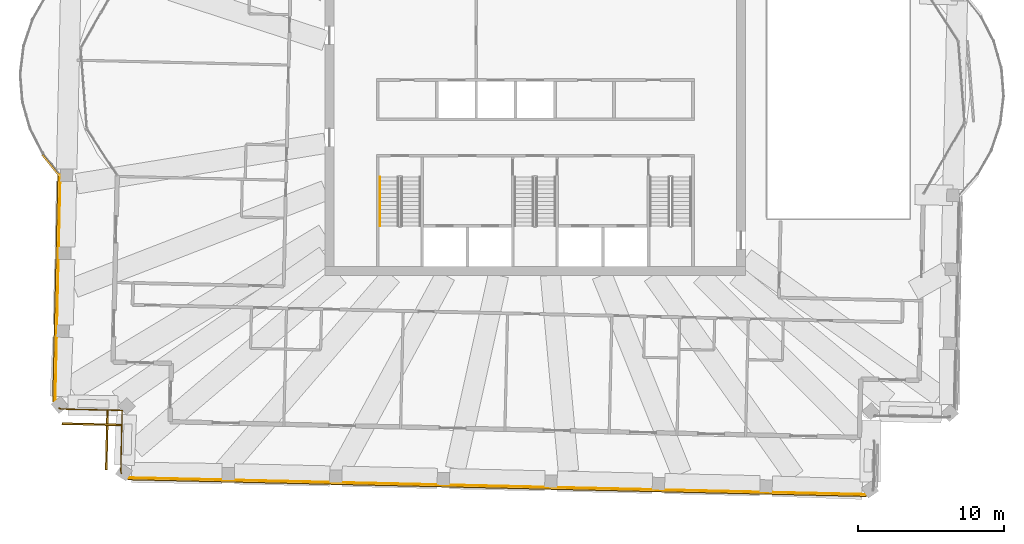
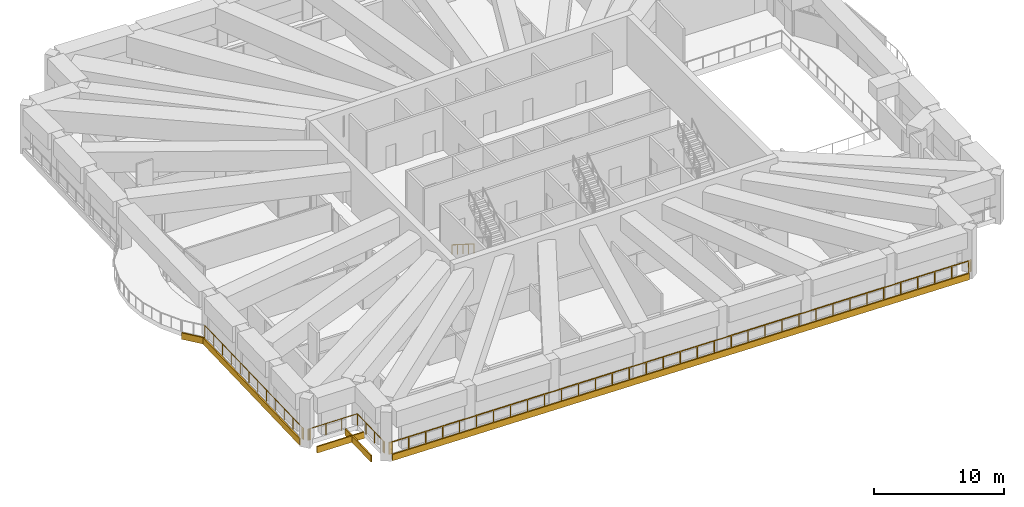
# One storey, part 15 of 21: 5 coverings, 4 railings.
"""IFC4 building model written with IfcOpenShell, lengths in metres."""

from ifc_helpers import new_model, si_unit, direction, frame, frame_2d, origin, origin_2d, place, context, subcontext, project, spatial, rectangle, circle, extrude, material, layer, layer_set, type_object, element, save


model = new_model("IFC4")

# Units and contexts
model_context = context("Model", 3, precision=1e-05, world=origin(), true_north=direction((0.0, 1.0)))
body_context = subcontext(model_context, "Body", "Model", "MODEL_VIEW")
ifc_project = project(units=[si_unit("LENGTHUNIT", "METRE"), si_unit("AREAUNIT", "SQUARE_METRE"), si_unit("VOLUMEUNIT", "CUBIC_METRE"), si_unit("PLANEANGLEUNIT", "RADIAN"), si_unit("MASSUNIT", "GRAM", prefix="KILO")], contexts=[model_context])

# Site, building, storey
site_placement = place(None, origin())
site = spatial("IfcSite", under=ifc_project, at=site_placement, CompositionType="ELEMENT")
building_placement = place(site_placement, origin())
building = spatial("IfcBuilding", under=site, at=building_placement, Name="Mangrove Gate Tower", CompositionType="ELEMENT")
storey_placement = place(building_placement, frame((0.0, 0.0, 329.699951171875)))
storey = spatial("IfcBuildingStorey", under=building, at=storey_placement, Name="L84", CompositionType="ELEMENT", Elevation=329.699951171875)

# Railings
ifc_material_1 = material(Name="Stainless steel grade 316 with laminated glass infill", Category="steel")
railing_type_1 = type_object("IfcRailingType", Name="Balcony guard 1100", PredefinedType="GUARDRAIL", material=ifc_material_1)
railing_1_placement = place(storey_placement, frame((22.886962890625, -26.363037109375, 0.0)))
element("IfcRailing", 1, at=railing_1_placement, inside=storey, type_object=railing_type_1, Name="GUARD L84 T1.8", PredefinedType="GUARDRAIL", context=body_context, shape_type="SweptSolid", body=[
    extrude(rectangle(XDim=0.048095703125, YDim=0.048095703125, at=origin_2d()), frame((0.0, 0.0, 1.076171875), z_axis=(-0.914917801573, -0.403640206576, 0.0), x_axis=(0.403640206576, -0.914917801573, 0.0)), (0.0, 0.0, 1.0), 0.027099609375),
    extrude(rectangle(XDim=0.048095703125, YDim=0.048095703125, at=origin_2d()), frame((-0.02490234375, -0.010986328125, 1.076171875), z_axis=(-0.947696654134, -0.319172448283, 0.0), x_axis=(0.319172448283, -0.947696654134, 0.0)), (0.0, 0.0, 1.0), 0.0498046875),
    extrude(rectangle(XDim=0.048095703125, YDim=0.048095703125, at=origin_2d()), frame((-0.072021484375, -0.02685546875, 1.076171875), z_axis=(-0.978813906772, -0.204751888661, 0.0), x_axis=(0.204751888661, -0.978813906772, 0.0)), (0.0, 0.0, 1.0), 0.048828125),
    extrude(rectangle(XDim=0.048095703125, YDim=0.048095703125, at=origin_2d()), frame((-0.119873046875, -0.036865234375, 1.076171875), z_axis=(-0.989337863075, -0.145638568676, 0.0), x_axis=(0.145638568676, -0.989337863075, 0.0)), (0.0, 0.0, 1.0), 0.048583984375),
    extrude(rectangle(XDim=0.048095703125, YDim=0.048095703125, at=origin_2d()), frame((-0.16796875, -0.0439453125, 1.076171875), z_axis=(-0.999802043895, -0.019896558087, 0.0), x_axis=(0.019896558087, -0.999802043895, 0.0)), (0.0, 0.0, 1.0), 0.049072265625),
    extrude(rectangle(XDim=0.048095703125, YDim=0.048095703125, at=origin_2d()), frame((-0.217041015625, -0.044921875, 1.076171875), z_axis=(-0.999742622077, 0.022686771534, 0.0), x_axis=(-0.022686771534, -0.999742622077, 0.0)), (0.0, 0.0, 1.0), 50.599853515625),
    extrude(rectangle(XDim=0.048095703125, YDim=0.048095703125, at=origin_2d()), frame((-50.803955078125, 1.10302734375, 1.076171875), z_axis=(-0.996846739125, 0.079350984209, 0.0), x_axis=(-0.079350984209, -0.996846739125, 0.0)), (0.0, 0.0, 1.0), 0.04931640625),
    extrude(rectangle(XDim=0.048095703125, YDim=0.048095703125, at=origin_2d()), frame((-50.85302734375, 1.10693359375, 1.076171875), z_axis=(-0.986659290868, 0.162798782993, 0.0), x_axis=(-0.162798782993, -0.986659290868, 0.0)), (0.0, 0.0, 1.0), 0.049560546875),
    extrude(rectangle(XDim=0.048095703125, YDim=0.048095703125, at=origin_2d()), frame((-50.90185546875, 1.114990234375, 1.076171875), z_axis=(-0.964301134924, 0.264808083684, 0.0), x_axis=(-0.264808083684, -0.964301134924, 0.0)), (0.0, 0.0, 1.0), 0.048828125),
    extrude(rectangle(XDim=0.048095703125, YDim=0.048095703125, at=origin_2d()), frame((-50.948974609375, 1.1279296875, 1.076171875), z_axis=(-0.930510652004, 0.366264831108, 0.0), x_axis=(-0.366264831108, -0.930510652004, 0.0)), (0.0, 0.0, 1.0), 0.04931640625),
    extrude(rectangle(XDim=0.048095703125, YDim=0.048095703125, at=origin_2d()), frame((-50.994873046875, 1.14599609375, 1.076171875), z_axis=(-0.903022510302, 0.429593233056, 0.0), x_axis=(-0.429593233056, -0.903022510302, 0.0)), (0.0, 0.0, 1.0), 0.02783203125),
    extrude(rectangle(XDim=0.0419921875, YDim=0.0419921875, at=origin_2d()), origin(), (0.0, 0.0, 1.0), 1.052001953125),
    extrude(rectangle(XDim=0.0419921875, YDim=0.0419921875, at=origin_2d()), frame((-0.02490234375, -0.010986328125, 0.0)), (0.0, 0.0, 1.0), 1.052001953125),
    extrude(rectangle(XDim=0.0419921875, YDim=0.0419921875, at=origin_2d()), frame((-0.072021484375, -0.02685546875, 0.0)), (0.0, 0.0, 1.0), 1.052001953125),
    extrude(rectangle(XDim=0.0419921875, YDim=0.0419921875, at=origin_2d()), frame((-0.119873046875, -0.036865234375, 0.0)), (0.0, 0.0, 1.0), 1.052001953125),
    extrude(rectangle(XDim=0.0419921875, YDim=0.0419921875, at=origin_2d()), frame((-0.16796875, -0.0439453125, 0.0)), (0.0, 0.0, 1.0), 1.052001953125),
    extrude(rectangle(XDim=0.0419921875, YDim=0.0419921875, at=origin_2d()), frame((-0.217041015625, -0.044921875, 0.0)), (0.0, 0.0, 1.0), 1.052001953125),
    extrude(rectangle(XDim=0.0419921875, YDim=0.0419921875, at=origin_2d()), frame((-1.704833984375, -0.01123046875, 0.0)), (0.0, 0.0, 1.0), 1.052001953125),
    extrude(rectangle(XDim=0.0419921875, YDim=0.0419921875, at=origin_2d()), frame((-3.192626953125, 0.022705078125, 0.0)), (0.0, 0.0, 1.0), 1.052001953125),
    extrude(rectangle(XDim=0.0419921875, YDim=0.0419921875, at=origin_2d()), frame((-4.6806640625, 0.056396484375, 0.0)), (0.0, 0.0, 1.0), 1.052001953125),
    extrude(rectangle(XDim=0.0419921875, YDim=0.0419921875, at=origin_2d()), frame((-6.16845703125, 0.090087890625, 0.0)), (0.0, 0.0, 1.0), 1.052001953125),
    extrude(rectangle(XDim=0.0419921875, YDim=0.0419921875, at=origin_2d()), frame((-7.65625, 0.123779296875, 0.0)), (0.0, 0.0, 1.0), 1.052001953125),
    extrude(rectangle(XDim=0.0419921875, YDim=0.0419921875, at=origin_2d()), frame((-9.14404296875, 0.15771484375, 0.0)), (0.0, 0.0, 1.0), 1.052001953125),
    extrude(rectangle(XDim=0.0419921875, YDim=0.0419921875, at=origin_2d()), frame((-10.632080078125, 0.19140625, 0.0)), (0.0, 0.0, 1.0), 1.052001953125),
    extrude(rectangle(XDim=0.0419921875, YDim=0.0419921875, at=origin_2d()), frame((-12.119873046875, 0.22509765625, 0.0)), (0.0, 0.0, 1.0), 1.052001953125),
    extrude(rectangle(XDim=0.0419921875, YDim=0.0419921875, at=origin_2d()), frame((-13.607666015625, 0.259033203125, 0.0)), (0.0, 0.0, 1.0), 1.052001953125),
    extrude(rectangle(XDim=0.0419921875, YDim=0.0419921875, at=origin_2d()), frame((-15.095458984375, 0.292724609375, 0.0)), (0.0, 0.0, 1.0), 1.052001953125),
    extrude(rectangle(XDim=0.0419921875, YDim=0.0419921875, at=origin_2d()), frame((-16.58349609375, 0.326416015625, 0.0)), (0.0, 0.0, 1.0), 1.052001953125),
    extrude(rectangle(XDim=0.0419921875, YDim=0.0419921875, at=origin_2d()), frame((-18.0712890625, 0.3603515625, 0.0)), (0.0, 0.0, 1.0), 1.052001953125),
    extrude(rectangle(XDim=0.0419921875, YDim=0.0419921875, at=origin_2d()), frame((-19.55908203125, 0.39404296875, 0.0)), (0.0, 0.0, 1.0), 1.052001953125),
    extrude(rectangle(XDim=0.0419921875, YDim=0.0419921875, at=origin_2d()), frame((-21.046875, 0.427734375, 0.0)), (0.0, 0.0, 1.0), 1.052001953125),
    extrude(rectangle(XDim=0.0419921875, YDim=0.0419921875, at=origin_2d()), frame((-22.534912109375, 0.46142578125, 0.0)), (0.0, 0.0, 1.0), 1.052001953125),
    extrude(rectangle(XDim=0.0419921875, YDim=0.0419921875, at=origin_2d()), frame((-24.022705078125, 0.495361328125, 0.0)), (0.0, 0.0, 1.0), 1.052001953125),
    extrude(rectangle(XDim=0.0419921875, YDim=0.0419921875, at=origin_2d()), frame((-25.510498046875, 0.529052734375, 0.0)), (0.0, 0.0, 1.0), 1.052001953125),
    extrude(rectangle(XDim=0.0419921875, YDim=0.0419921875, at=origin_2d()), frame((-26.998291015625, 0.562744140625, 0.0)), (0.0, 0.0, 1.0), 1.052001953125),
    extrude(rectangle(XDim=0.0419921875, YDim=0.0419921875, at=origin_2d()), frame((-28.486083984375, 0.5966796875, 0.0)), (0.0, 0.0, 1.0), 1.052001953125),
    extrude(rectangle(XDim=0.0419921875, YDim=0.0419921875, at=origin_2d()), frame((-29.97412109375, 0.63037109375, 0.0)), (0.0, 0.0, 1.0), 1.052001953125),
    extrude(rectangle(XDim=0.0419921875, YDim=0.0419921875, at=origin_2d()), frame((-31.4619140625, 0.6640625, 0.0)), (0.0, 0.0, 1.0), 1.052001953125),
    extrude(rectangle(XDim=0.0419921875, YDim=0.0419921875, at=origin_2d()), frame((-32.94970703125, 0.69775390625, 0.0)), (0.0, 0.0, 1.0), 1.052001953125),
    extrude(rectangle(XDim=0.0419921875, YDim=0.0419921875, at=origin_2d()), frame((-34.4375, 0.731689453125, 0.0)), (0.0, 0.0, 1.0), 1.052001953125),
    extrude(rectangle(XDim=0.0419921875, YDim=0.0419921875, at=origin_2d()), frame((-35.925537109375, 0.765380859375, 0.0)), (0.0, 0.0, 1.0), 1.052001953125),
    extrude(rectangle(XDim=0.0419921875, YDim=0.0419921875, at=origin_2d()), frame((-37.413330078125, 0.799072265625, 0.0)), (0.0, 0.0, 1.0), 1.052001953125),
    extrude(rectangle(XDim=0.0419921875, YDim=0.0419921875, at=origin_2d()), frame((-38.901123046875, 0.8330078125, 0.0)), (0.0, 0.0, 1.0), 1.052001953125),
    extrude(rectangle(XDim=0.0419921875, YDim=0.0419921875, at=origin_2d()), frame((-40.388916015625, 0.86669921875, 0.0)), (0.0, 0.0, 1.0), 1.052001953125),
    extrude(rectangle(XDim=0.0419921875, YDim=0.0419921875, at=origin_2d()), frame((-41.876953125, 0.900390625, 0.0)), (0.0, 0.0, 1.0), 1.052001953125),
    extrude(rectangle(XDim=0.0419921875, YDim=0.0419921875, at=origin_2d()), frame((-43.36474609375, 0.934326171875, 0.0)), (0.0, 0.0, 1.0), 1.052001953125),
    extrude(rectangle(XDim=0.0419921875, YDim=0.0419921875, at=origin_2d()), frame((-44.8525390625, 0.968017578125, 0.0)), (0.0, 0.0, 1.0), 1.052001953125),
    extrude(rectangle(XDim=0.0419921875, YDim=0.0419921875, at=origin_2d()), frame((-46.34033203125, 1.001708984375, 0.0)), (0.0, 0.0, 1.0), 1.052001953125),
    extrude(rectangle(XDim=0.0419921875, YDim=0.0419921875, at=origin_2d()), frame((-47.828369140625, 1.035400390625, 0.0)), (0.0, 0.0, 1.0), 1.052001953125),
    extrude(rectangle(XDim=0.0419921875, YDim=0.0419921875, at=origin_2d()), frame((-49.316162109375, 1.0693359375, 0.0)), (0.0, 0.0, 1.0), 1.052001953125),
    extrude(rectangle(XDim=0.0419921875, YDim=0.0419921875, at=origin_2d()), frame((-50.803955078125, 1.10302734375, 0.0)), (0.0, 0.0, 1.0), 1.052001953125),
    extrude(rectangle(XDim=0.0419921875, YDim=0.0419921875, at=origin_2d()), frame((-50.85302734375, 1.10693359375, 0.0)), (0.0, 0.0, 1.0), 1.052001953125),
    extrude(rectangle(XDim=0.0419921875, YDim=0.0419921875, at=origin_2d()), frame((-50.90185546875, 1.114990234375, 0.0)), (0.0, 0.0, 1.0), 1.052001953125),
    extrude(rectangle(XDim=0.0419921875, YDim=0.0419921875, at=origin_2d()), frame((-50.948974609375, 1.1279296875, 0.0)), (0.0, 0.0, 1.0), 1.052001953125),
    extrude(rectangle(XDim=0.0419921875, YDim=0.0419921875, at=origin_2d()), frame((-50.994873046875, 1.14599609375, 0.0)), (0.0, 0.0, 1.0), 1.052001953125),
    extrude(rectangle(XDim=0.0419921875, YDim=0.0419921875, at=origin_2d()), frame((-51.02001953125, 1.157958984375, 0.0)), (0.0, 0.0, 1.0), 1.052001953125),
])
railing_2_placement = place(storey_placement, frame((-28.361083984375, -24.966064453125, 0.0)))
element("IfcRailing", 2, at=railing_2_placement, inside=storey, type_object=railing_type_1, Name="GUARD L84 T1.9", PredefinedType="GUARDRAIL", context=body_context, shape_type="SweptSolid", body=[
    extrude(rectangle(XDim=0.048095703125, YDim=0.048095703125, at=origin_2d()), frame((0.0, 0.0, 1.076171875), z_axis=(-0.400352069216, 0.916361402872, 0.0), x_axis=(-0.916361402872, -0.400352069216, 0.0)), (0.0, 0.0, 1.0), 0.02734375),
    extrude(rectangle(XDim=0.048095703125, YDim=0.048095703125, at=origin_2d()), frame((-0.010986328125, 0.025146484375, 1.076171875), z_axis=(-0.320664269532, 0.947192919233, 0.0), x_axis=(-0.947192919233, -0.320664269532, 0.0)), (0.0, 0.0, 1.0), 0.049560546875),
    extrude(rectangle(XDim=0.048095703125, YDim=0.048095703125, at=origin_2d()), frame((-0.02685546875, 0.072021484375, 1.076171875), z_axis=(-0.203755794539, 0.979021744494, 0.0), x_axis=(-0.979021744494, -0.203755794539, 0.0)), (0.0, 0.0, 1.0), 0.049072265625),
    extrude(rectangle(XDim=0.048095703125, YDim=0.048095703125, at=origin_2d()), frame((-0.036865234375, 0.1201171875, 1.076171875), z_axis=(-0.146365743746, 0.989230543937, 0.0), x_axis=(-0.989230543937, -0.146365743746, 0.0)), (0.0, 0.0, 1.0), 0.04833984375),
    extrude(rectangle(XDim=0.048095703125, YDim=0.048095703125, at=origin_2d()), frame((-0.0439453125, 0.16796875, 1.076171875), z_axis=(-0.019896558087, 0.999802043895, 0.0), x_axis=(-0.999802043895, -0.019896558087, 0.0)), (0.0, 0.0, 1.0), 0.049072265625),
    extrude(rectangle(XDim=0.048095703125, YDim=0.048095703125, at=origin_2d()), frame((-0.044921875, 0.217041015625, 1.076171875), z_axis=(0.022753963991, 0.999741095045, 0.0), x_axis=(-0.999741095045, 0.022753963991, 0.0)), (0.0, 0.0, 1.0), 4.087890625),
    extrude(rectangle(XDim=0.048095703125, YDim=0.048095703125, at=origin_2d()), frame((0.048095703125, 4.303955078125, 1.076171875), z_axis=(0.0, 1.0, 0.0), x_axis=(-1.0, 0.0, 0.0)), (0.0, 0.0, 1.0), 0.01220703125),
    extrude(rectangle(XDim=0.048095703125, YDim=0.048095703125, at=origin_2d()), frame((0.048095703125, 4.316162109375, 1.076171875), z_axis=(-0.996684615823, 0.081362009455, 0.0), x_axis=(-0.081362009455, -0.996684615823, 0.0)), (0.0, 0.0, 1.0), 0.011962890625),
    extrude(rectangle(XDim=0.048095703125, YDim=0.048095703125, at=origin_2d()), frame((0.0361328125, 4.317138671875, 1.076171875), z_axis=(-0.999746531049, 0.02251385474, 0.0), x_axis=(-0.02251385474, -0.999746531049, 0.0)), (0.0, 0.0, 1.0), 4.088134765625),
    extrude(rectangle(XDim=0.048095703125, YDim=0.048095703125, at=origin_2d()), frame((-4.051025390625, 4.4091796875, 1.076171875), z_axis=(-0.996815278536, 0.079745222283, 0.0), x_axis=(-0.079745222283, -0.996815278536, 0.0)), (0.0, 0.0, 1.0), 0.049072265625),
    extrude(rectangle(XDim=0.048095703125, YDim=0.048095703125, at=origin_2d()), frame((-4.099853515625, 4.4130859375, 1.076171875), z_axis=(-0.986258281976, 0.165210778199, 0.0), x_axis=(-0.165210778199, -0.986258281976, 0.0)), (0.0, 0.0, 1.0), 0.048828125),
    extrude(rectangle(XDim=0.048095703125, YDim=0.048095703125, at=origin_2d()), frame((-4.14794921875, 4.421142578125, 1.076171875), z_axis=(-0.963948224108, 0.266089874363, 0.0), x_axis=(-0.266089874363, -0.963948224108, 0.0)), (0.0, 0.0, 1.0), 0.048583984375),
    extrude(rectangle(XDim=0.048095703125, YDim=0.048095703125, at=origin_2d()), frame((-4.19482421875, 4.43408203125, 1.076171875), z_axis=(-0.931170070305, 0.364585106892, 0.0), x_axis=(-0.364585106892, -0.931170070305, 0.0)), (0.0, 0.0, 1.0), 0.049560546875),
    extrude(rectangle(XDim=0.048095703125, YDim=0.048095703125, at=origin_2d()), frame((-4.240966796875, 4.4521484375, 1.076171875), z_axis=(-0.901385111422, 0.43301833784, 0.0), x_axis=(-0.43301833784, -0.901385111422, 0.0)), (0.0, 0.0, 1.0), 0.027587890625),
    extrude(rectangle(XDim=0.0419921875, YDim=0.0419921875, at=origin_2d()), origin(), (0.0, 0.0, 1.0), 1.052001953125),
    extrude(rectangle(XDim=0.0419921875, YDim=0.0419921875, at=origin_2d()), frame((-0.010986328125, 0.025146484375, 0.0)), (0.0, 0.0, 1.0), 1.052001953125),
    extrude(rectangle(XDim=0.0419921875, YDim=0.0419921875, at=origin_2d()), frame((-0.02685546875, 0.072021484375, 0.0)), (0.0, 0.0, 1.0), 1.052001953125),
    extrude(rectangle(XDim=0.0419921875, YDim=0.0419921875, at=origin_2d()), frame((-0.036865234375, 0.1201171875, 0.0)), (0.0, 0.0, 1.0), 1.052001953125),
    extrude(rectangle(XDim=0.0419921875, YDim=0.0419921875, at=origin_2d()), frame((-0.0439453125, 0.16796875, 0.0)), (0.0, 0.0, 1.0), 1.052001953125),
    extrude(rectangle(XDim=0.0419921875, YDim=0.0419921875, at=origin_2d()), frame((-0.044921875, 0.217041015625, 0.0)), (0.0, 0.0, 1.0), 1.052001953125),
    extrude(rectangle(XDim=0.0419921875, YDim=0.0419921875, at=origin_2d()), frame((-0.013916015625, 1.579345703125, 0.0)), (0.0, 0.0, 1.0), 1.052001953125),
    extrude(rectangle(XDim=0.0419921875, YDim=0.0419921875, at=origin_2d()), frame((0.01708984375, 2.941650390625, 0.0)), (0.0, 0.0, 1.0), 1.052001953125),
    extrude(rectangle(XDim=0.0419921875, YDim=0.0419921875, at=origin_2d()), frame((0.048095703125, 4.303955078125, 0.0)), (0.0, 0.0, 1.0), 1.052001953125),
    extrude(rectangle(XDim=0.0419921875, YDim=0.0419921875, at=origin_2d()), frame((0.048095703125, 4.316162109375, 0.0)), (0.0, 0.0, 1.0), 1.052001953125),
    extrude(rectangle(XDim=0.0419921875, YDim=0.0419921875, at=origin_2d()), frame((0.0361328125, 4.317138671875, 0.0)), (0.0, 0.0, 1.0), 1.052001953125),
    extrude(rectangle(XDim=0.0419921875, YDim=0.0419921875, at=origin_2d()), frame((-1.326171875, 4.347900390625, 0.0)), (0.0, 0.0, 1.0), 1.052001953125),
    extrude(rectangle(XDim=0.0419921875, YDim=0.0419921875, at=origin_2d()), frame((-2.688720703125, 4.37841796875, 0.0)), (0.0, 0.0, 1.0), 1.052001953125),
    extrude(rectangle(XDim=0.0419921875, YDim=0.0419921875, at=origin_2d()), frame((-4.051025390625, 4.4091796875, 0.0)), (0.0, 0.0, 1.0), 1.052001953125),
    extrude(rectangle(XDim=0.0419921875, YDim=0.0419921875, at=origin_2d()), frame((-4.099853515625, 4.4130859375, 0.0)), (0.0, 0.0, 1.0), 1.052001953125),
    extrude(rectangle(XDim=0.0419921875, YDim=0.0419921875, at=origin_2d()), frame((-4.14794921875, 4.421142578125, 0.0)), (0.0, 0.0, 1.0), 1.052001953125),
    extrude(rectangle(XDim=0.0419921875, YDim=0.0419921875, at=origin_2d()), frame((-4.19482421875, 4.43408203125, 0.0)), (0.0, 0.0, 1.0), 1.052001953125),
    extrude(rectangle(XDim=0.0419921875, YDim=0.0419921875, at=origin_2d()), frame((-4.240966796875, 4.4521484375, 0.0)), (0.0, 0.0, 1.0), 1.052001953125),
    extrude(rectangle(XDim=0.0419921875, YDim=0.0419921875, at=origin_2d()), frame((-4.265869140625, 4.464111328125, 0.0)), (0.0, 0.0, 1.0), 1.052001953125),
])
railing_3_placement = place(storey_placement, frame((-32.85498046875, -20.262939453125, 0.0)))
element("IfcRailing", 3, at=railing_3_placement, inside=storey, type_object=railing_type_1, Name="GUARD L84 T1.10", PredefinedType="GUARDRAIL", context=body_context, shape_type="SweptSolid", body=[
    extrude(rectangle(XDim=0.048095703125, YDim=0.048095703125, at=origin_2d()), frame((0.0, 0.0, 1.076171875), z_axis=(-0.43301833784, 0.901385111422, 0.0), x_axis=(-0.901385111422, -0.43301833784, 0.0)), (0.0, 0.0, 1.0), 0.027587890625),
    extrude(rectangle(XDim=0.048095703125, YDim=0.048095703125, at=origin_2d()), frame((-0.011962890625, 0.02490234375, 1.076171875), z_axis=(-0.30584949336, 0.952079874491, 0.0), x_axis=(-0.952079874491, -0.30584949336, 0.0)), (0.0, 0.0, 1.0), 0.049560546875),
    extrude(rectangle(XDim=0.048095703125, YDim=0.048095703125, at=origin_2d()), frame((-0.027099609375, 0.072021484375, 1.076171875), z_axis=(-0.223769850009, 0.974642013371, 0.0), x_axis=(-0.974642013371, -0.223769850009, 0.0)), (0.0, 0.0, 1.0), 0.049072265625),
    extrude(rectangle(XDim=0.048095703125, YDim=0.048095703125, at=origin_2d()), frame((-0.0380859375, 0.119873046875, 1.076171875), z_axis=(-0.120933275731, 0.992660638295, 0.0), x_axis=(-0.992660638295, -0.120933275731, 0.0)), (0.0, 0.0, 1.0), 0.04833984375),
    extrude(rectangle(XDim=0.048095703125, YDim=0.048095703125, at=origin_2d()), frame((-0.0439453125, 0.16796875, 1.076171875), z_axis=(-0.019508481785, 0.999809691461, 0.0), x_axis=(-0.999809691461, -0.019508481785, 0.0)), (0.0, 0.0, 1.0), 0.050048828125),
    extrude(rectangle(XDim=0.048095703125, YDim=0.048095703125, at=origin_2d()), frame((-0.044921875, 0.218017578125, 1.076171875), z_axis=(0.022679932966, 0.999742777239, 0.0), x_axis=(-0.999742777239, 0.022679932966, 0.0)), (0.0, 0.0, 1.0), 15.51171875),
    extrude(rectangle(XDim=0.048095703125, YDim=0.048095703125, at=origin_2d()), frame((0.306884765625, 15.725830078125, 1.076171875), z_axis=(-0.079745222283, 0.996815278536, 0.0), x_axis=(-0.996815278536, -0.079745222283, 0.0)), (0.0, 0.0, 1.0), 0.01220703125),
    extrude(rectangle(XDim=0.048095703125, YDim=0.048095703125, at=origin_2d()), frame((0.305908203125, 15.738037109375, 1.076171875), z_axis=(-0.563961646158, 0.825800981874, 0.0), x_axis=(-0.825800981874, -0.563961646158, 0.0)), (0.0, 0.0, 1.0), 0.01220703125),
    extrude(rectangle(XDim=0.0419921875, YDim=0.0419921875, at=origin_2d()), origin(), (0.0, 0.0, 1.0), 1.052001953125),
    extrude(rectangle(XDim=0.0419921875, YDim=0.0419921875, at=origin_2d()), frame((-0.011962890625, 0.02490234375, 0.0)), (0.0, 0.0, 1.0), 1.052001953125),
    extrude(rectangle(XDim=0.0419921875, YDim=0.0419921875, at=origin_2d()), frame((-0.027099609375, 0.072021484375, 0.0)), (0.0, 0.0, 1.0), 1.052001953125),
    extrude(rectangle(XDim=0.0419921875, YDim=0.0419921875, at=origin_2d()), frame((-0.0380859375, 0.119873046875, 0.0)), (0.0, 0.0, 1.0), 1.052001953125),
    extrude(rectangle(XDim=0.0419921875, YDim=0.0419921875, at=origin_2d()), frame((-0.0439453125, 0.16796875, 0.0)), (0.0, 0.0, 1.0), 1.052001953125),
    extrude(rectangle(XDim=0.0419921875, YDim=0.0419921875, at=origin_2d()), frame((-0.044921875, 0.218017578125, 0.0)), (0.0, 0.0, 1.0), 1.052001953125),
    extrude(rectangle(XDim=0.0419921875, YDim=0.0419921875, at=origin_2d()), frame((-0.012939453125, 1.6279296875, 0.0)), (0.0, 0.0, 1.0), 1.052001953125),
    extrude(rectangle(XDim=0.0419921875, YDim=0.0419921875, at=origin_2d()), frame((0.01904296875, 3.03759765625, 0.0)), (0.0, 0.0, 1.0), 1.052001953125),
    extrude(rectangle(XDim=0.0419921875, YDim=0.0419921875, at=origin_2d()), frame((0.051025390625, 4.447509765625, 0.0)), (0.0, 0.0, 1.0), 1.052001953125),
    extrude(rectangle(XDim=0.0419921875, YDim=0.0419921875, at=origin_2d()), frame((0.0830078125, 5.857177734375, 0.0)), (0.0, 0.0, 1.0), 1.052001953125),
    extrude(rectangle(XDim=0.0419921875, YDim=0.0419921875, at=origin_2d()), frame((0.114990234375, 7.26708984375, 0.0)), (0.0, 0.0, 1.0), 1.052001953125),
    extrude(rectangle(XDim=0.0419921875, YDim=0.0419921875, at=origin_2d()), frame((0.14697265625, 8.6767578125, 0.0)), (0.0, 0.0, 1.0), 1.052001953125),
    extrude(rectangle(XDim=0.0419921875, YDim=0.0419921875, at=origin_2d()), frame((0.178955078125, 10.086669921875, 0.0)), (0.0, 0.0, 1.0), 1.052001953125),
    extrude(rectangle(XDim=0.0419921875, YDim=0.0419921875, at=origin_2d()), frame((0.2109375, 11.496337890625, 0.0)), (0.0, 0.0, 1.0), 1.052001953125),
    extrude(rectangle(XDim=0.0419921875, YDim=0.0419921875, at=origin_2d()), frame((0.242919921875, 12.90625, 0.0)), (0.0, 0.0, 1.0), 1.052001953125),
    extrude(rectangle(XDim=0.0419921875, YDim=0.0419921875, at=origin_2d()), frame((0.27490234375, 14.31591796875, 0.0)), (0.0, 0.0, 1.0), 1.052001953125),
    extrude(rectangle(XDim=0.0419921875, YDim=0.0419921875, at=origin_2d()), frame((0.306884765625, 15.725830078125, 0.0)), (0.0, 0.0, 1.0), 1.052001953125),
    extrude(rectangle(XDim=0.0419921875, YDim=0.0419921875, at=origin_2d()), frame((0.305908203125, 15.738037109375, 0.0)), (0.0, 0.0, 1.0), 1.052001953125),
    extrude(rectangle(XDim=0.0419921875, YDim=0.0419921875, at=origin_2d()), frame((0.299072265625, 15.748046875, 0.0)), (0.0, 0.0, 1.0), 1.052001953125),
])
ifc_material_2 = material(Name="Stainless steel 316", Category="steel")
railing_type_2 = type_object("IfcRailingType", Name="Core stair handrail 900", PredefinedType="HANDRAIL", material=ifc_material_2)
railing_4_placement = place(storey_placement, frame((-10.64990234375, -4.64990234375, 0.177001953125)))
element("IfcRailing", 4, at=railing_4_placement, inside=storey, type_object=railing_type_2, Name="L84 ST1 stair handrail 1", PredefinedType="HANDRAIL", context=body_context, shape_type="SweptSolid", body=[
    extrude(circle(Radius=0.02392578125, at=origin_2d()), frame((0.0, 0.0, 0.8759765625), z_axis=(0.0, -0.845389635667, 0.534150132366), x_axis=(1.0, 0.0, 0.0)), (0.0, 0.0, 1.0), 3.974609375),
    extrude(circle(Radius=0.02099609375, at=origin_2d()), origin(), (0.0, 0.0, 1.0), 0.851806640625),
    extrude(circle(Radius=0.02099609375, at=origin_2d()), frame((0.0, -0.840087890625, 0.53076171875)), (0.0, 0.0, 1.0), 0.851806640625),
    extrude(circle(Radius=0.02099609375, at=origin_2d()), frame((0.0, -1.68017578125, 1.0615234375)), (0.0, 0.0, 1.0), 0.851806640625),
    extrude(circle(Radius=0.02099609375, at=origin_2d()), frame((0.0, -2.52001953125, 1.59228515625)), (0.0, 0.0, 1.0), 0.851806640625),
    extrude(circle(Radius=0.02099609375, at=origin_2d()), frame((0.0, -3.360107421875, 2.123046875)), (0.0, 0.0, 1.0), 0.851806640625),
])

# Coverings
ifc_material_3 = material(Name="Limestone", Category="masonry")
ifc_layer_1 = layer(ifc_material_3, 0.0400390625, Name="Limestone cladding")
ifc_material_4 = material(Name="Stainless steel anchors and cavity", Category="steel")
ifc_layer_2 = layer(ifc_material_4, 0.080078125, Name="Fixing cavity")
ifc_layer_set = layer_set([ifc_layer_1, ifc_layer_2], Name="Joint fascia cladding 120")
covering_type = type_object("IfcCoveringType", Name="Joint fascia cladding 120", PredefinedType="CLADDING", material=ifc_layer_set)
covering_1_placement = place(storey_placement, frame((-32.594970703125, -4.610107421875, -0.599853515625), z_axis=(0.0, 0.0, 1.0), x_axis=(-0.62541579031, 0.780291669333, 0.0)))
element("IfcCovering", 5, at=covering_1_placement, inside=storey, type_object=covering_type, Name="STONE FASCIA L84 TB111-1.1", PredefinedType="CLADDING", context=body_context, shape_type="SweptSolid", body=[
    extrude(rectangle(XDim=1.8994140625, YDim=0.1201171875, at=frame_2d((0.94970703125, 0.0))), origin(), (0.0, 0.0, 1.0), 0.599853515625),
])
covering_2_placement = place(storey_placement, frame((22.66796875, -26.498046875, -0.599853515625), z_axis=(0.0, 0.0, 1.0), x_axis=(-0.999742622077, 0.022686771534, 0.0)))
element("IfcCovering", 6, at=covering_2_placement, inside=storey, type_object=covering_type, Name="STONE FASCIA L84 TB111-8.1", PredefinedType="CLADDING", context=body_context, shape_type="SweptSolid", body=[
    extrude(rectangle(XDim=50.599853515625, YDim=0.1201171875, at=frame_2d((25.2998046875, 0.0))), origin(), (0.0, 0.0, 1.0), 0.599853515625),
])
covering_3_placement = place(storey_placement, frame((-29.406005859375, -24.72607421875, -0.599853515625), z_axis=(0.0, 0.0, 1.0), x_axis=(0.022714704356, 0.999741987818, 0.0)))
element("IfcCovering", 7, at=covering_3_placement, inside=storey, type_object=covering_type, Name="STONE FASCIA L84 TB111-9.1", PredefinedType="CLADDING", context=body_context, shape_type="SweptSolid", body=[
    extrude(rectangle(XDim=4.137939453125, YDim=0.1201171875, at=frame_2d((2.06884765625, 0.0))), origin(), (0.0, 0.0, 1.0), 0.599853515625),
])
covering_4_placement = place(storey_placement, frame((-28.298095703125, -21.64990234375, -0.599853515625), z_axis=(0.0, 0.0, 1.0), x_axis=(-0.99974186601, 0.022720064838, 0.0)))
element("IfcCovering", 8, at=covering_4_placement, inside=storey, type_object=covering_type, Name="STONE FASCIA L84 TB111-9.2", PredefinedType="CLADDING", context=body_context, shape_type="SweptSolid", body=[
    extrude(rectangle(XDim=4.136962890625, YDim=0.1201171875, at=frame_2d((2.068359375, 0.0))), origin(), (0.0, 0.0, 1.0), 0.599853515625),
])
covering_5_placement = place(storey_placement, frame((-33.02587890625, -20.04296875, -0.599853515625), z_axis=(0.0, 0.0, 1.0), x_axis=(0.022678148765, 0.999742817713, 0.0)))
element("IfcCovering", 9, at=covering_5_placement, inside=storey, type_object=covering_type, Name="STONE FASCIA L84 TB111-10.1", PredefinedType="CLADDING", context=body_context, shape_type="SweptSolid", body=[
    extrude(rectangle(XDim=15.512939453125, YDim=0.1201171875, at=frame_2d((7.75634765625, 0.0))), origin(), (0.0, 0.0, 1.0), 0.599853515625),
])

save(model, "model.ifc")
